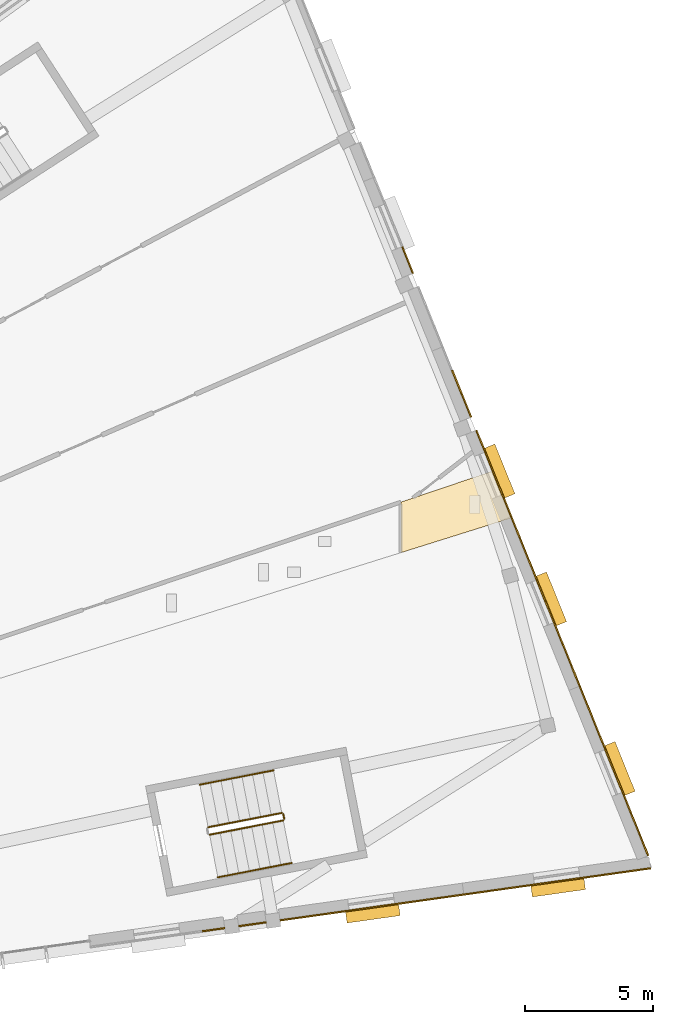
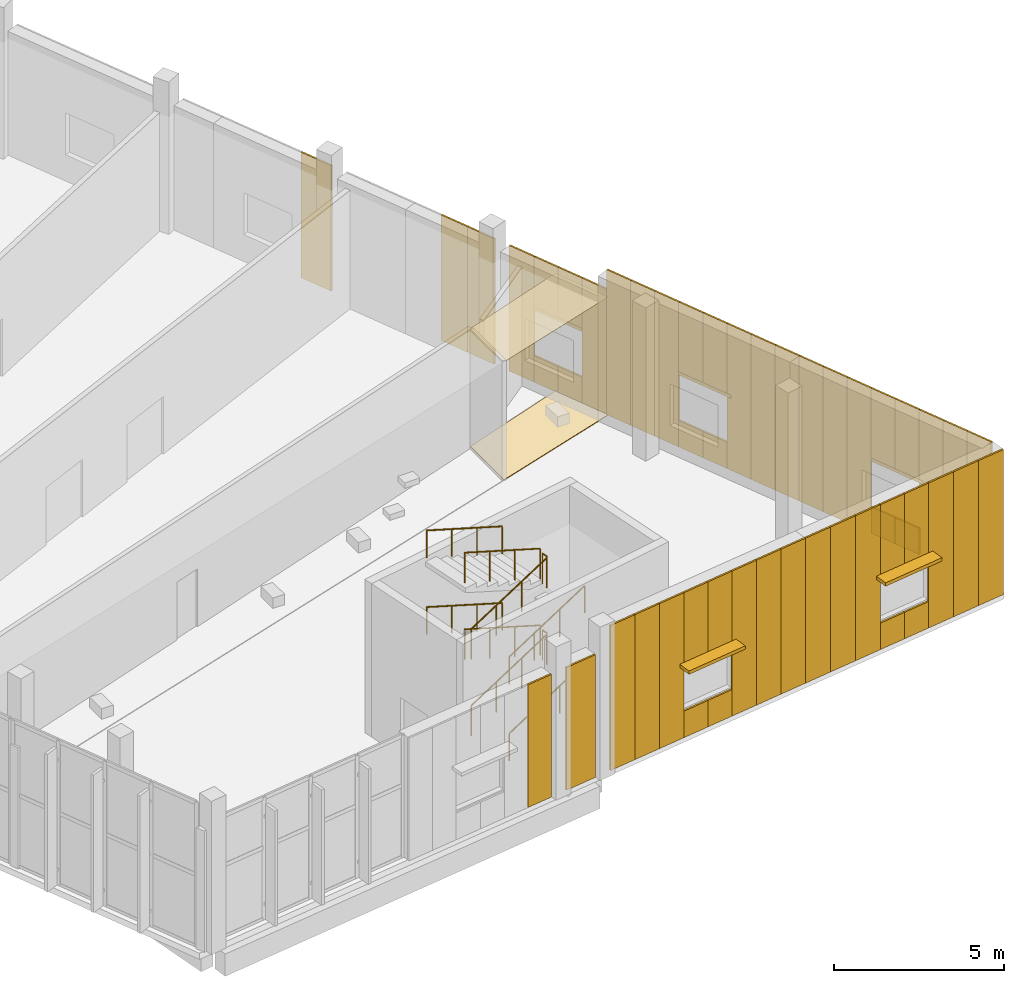
# One storey, part 78 of 87: 53 coverings, 10 railings, 5 shading devices.
"""IFC4 building model written with IfcOpenShell, lengths in metres."""

from ifc_helpers import new_model, si_unit, direction, frame, origin, origin_2d, place, context, subcontext, project, spatial, polyline, rectangle, circle, outline, extrude, material, layer, layer_set, type_object, element, save


model = new_model("IFC4")

# Units and contexts
model_context = context("Model", 3, precision=1e-05, world=origin(), true_north=direction((0.0, 1.0)))
body_context = subcontext(model_context, "Body", "Model", "MODEL_VIEW")
ifc_project = project(units=[si_unit("LENGTHUNIT", "METRE"), si_unit("AREAUNIT", "SQUARE_METRE"), si_unit("VOLUMEUNIT", "CUBIC_METRE"), si_unit("PLANEANGLEUNIT", "RADIAN"), si_unit("MASSUNIT", "GRAM", prefix="KILO")], contexts=[model_context])

# Site, building, storey
site_placement = place(None, origin())
site = spatial("IfcSite", under=ifc_project, at=site_placement, CompositionType="ELEMENT")
building_placement = place(site_placement, origin())
building = spatial("IfcBuilding", under=site, at=building_placement, Name="Lunette Opera House", CompositionType="ELEMENT")
storey_placement = place(building_placement, frame((0.0, 0.0, 11.5)))
storey = spatial("IfcBuildingStorey", under=building, at=storey_placement, Name="L02", CompositionType="ELEMENT", Elevation=11.5)

# Railings
ifc_material_1 = material(Name="Steel S355", Category="steel")
railing_type_1 = type_object("IfcRailingType", Name="STAIR GUARD 1100", PredefinedType="GUARDRAIL", material=ifc_material_1)
railing_1_placement = place(storey_placement, frame((167.785400390625, 13.801025390625, 0.171875)))
element("IfcRailing", 1, at=railing_1_placement, inside=storey, type_object=railing_type_1, Name="L02 ST22 stair guard 1", PredefinedType="GUARDRAIL", context=body_context, shape_type="SweptSolid", body=[
    extrude(circle(Radius=0.02392578125, at=origin_2d()), frame((0.0, 0.0, 1.076171875), z_axis=(0.908508572343, 0.176537026535, 0.378743781787), x_axis=(-0.190747409961, 0.981639152435, 0.0)), (0.0, 0.0, 1.0), 3.176513671875),
    extrude(circle(Radius=0.02099609375, at=origin_2d()), origin(), (0.0, 0.0, 1.0), 1.052001953125),
    extrude(circle(Radius=0.02099609375, at=origin_2d()), frame((0.9619140625, 0.18701171875, 0.401123046875)), (0.0, 0.0, 1.0), 1.052001953125),
    extrude(circle(Radius=0.02099609375, at=origin_2d()), frame((1.924072265625, 0.373779296875, 0.802001953125)), (0.0, 0.0, 1.0), 1.052001953125),
    extrude(circle(Radius=0.02099609375, at=origin_2d()), frame((2.885986328125, 0.560791015625, 1.203125)), (0.0, 0.0, 1.0), 1.052001953125),
])
railing_2_placement = place(storey_placement, frame((170.7109375, 14.42041015625, 1.375)))
element("IfcRailing", 2, at=railing_2_placement, inside=storey, type_object=railing_type_1, Name="L02 ST22 stair guard 2", PredefinedType="GUARDRAIL", context=body_context, shape_type="SweptSolid", body=[
    extrude(circle(Radius=0.02392578125, at=origin_2d()), frame((0.0, 0.0, 1.076171875), z_axis=(-0.190706053889, 0.981647187644, 0.0), x_axis=(-0.981647187644, -0.190706053889, 0.0)), (0.0, 0.0, 1.0), 0.19970703125),
    extrude(circle(Radius=0.02099609375, at=origin_2d()), origin(), (0.0, 0.0, 1.0), 1.052001953125),
    extrude(circle(Radius=0.02099609375, at=origin_2d()), frame((-0.0380859375, 0.196044921875, 0.0)), (0.0, 0.0, 1.0), 1.052001953125),
])
railing_3_placement = place(storey_placement, frame((170.6142578125, 14.656005859375, 1.546875)))
element("IfcRailing", 3, at=railing_3_placement, inside=storey, type_object=railing_type_1, Name="L02 ST22 stair guard 3", PredefinedType="GUARDRAIL", context=body_context, shape_type="SweptSolid", body=[
    extrude(circle(Radius=0.02392578125, at=origin_2d()), frame((0.0, 0.0, 1.076171875), z_axis=(-0.908508572343, -0.176537026535, 0.378743781787), x_axis=(0.190747409961, -0.981639152435, 0.0)), (0.0, 0.0, 1.0), 3.176513671875),
    extrude(circle(Radius=0.02099609375, at=origin_2d()), origin(), (0.0, 0.0, 1.0), 1.052001953125),
    extrude(circle(Radius=0.02099609375, at=origin_2d()), frame((-0.9619140625, -0.18701171875, 0.401123046875)), (0.0, 0.0, 1.0), 1.052001953125),
    extrude(circle(Radius=0.02099609375, at=origin_2d()), frame((-1.924072265625, -0.373779296875, 0.802001953125)), (0.0, 0.0, 1.0), 1.052001953125),
    extrude(circle(Radius=0.02099609375, at=origin_2d()), frame((-2.885986328125, -0.560791015625, 1.203125)), (0.0, 0.0, 1.0), 1.052001953125),
])
railing_4_placement = place(storey_placement, frame((167.785400390625, 13.801025390625, 2.921875)))
element("IfcRailing", 4, at=railing_4_placement, inside=storey, type_object=railing_type_1, Name="L02 ST22 stair guard 5", PredefinedType="GUARDRAIL", context=body_context, shape_type="SweptSolid", body=[
    extrude(circle(Radius=0.02392578125, at=origin_2d()), frame((0.0, 0.0, 1.076171875), z_axis=(0.908508572343, 0.176537026535, 0.378743781787), x_axis=(-0.190747409961, 0.981639152435, 0.0)), (0.0, 0.0, 1.0), 3.176513671875),
    extrude(circle(Radius=0.02099609375, at=origin_2d()), origin(), (0.0, 0.0, 1.0), 1.052001953125),
    extrude(circle(Radius=0.02099609375, at=origin_2d()), frame((0.9619140625, 0.18701171875, 0.401123046875)), (0.0, 0.0, 1.0), 1.052001953125),
    extrude(circle(Radius=0.02099609375, at=origin_2d()), frame((1.924072265625, 0.373779296875, 0.802001953125)), (0.0, 0.0, 1.0), 1.052001953125),
    extrude(circle(Radius=0.02099609375, at=origin_2d()), frame((2.885986328125, 0.560791015625, 1.203125)), (0.0, 0.0, 1.0), 1.052001953125),
])
railing_5_placement = place(storey_placement, frame((170.7109375, 14.42041015625, 4.125)))
element("IfcRailing", 5, at=railing_5_placement, inside=storey, type_object=railing_type_1, Name="L02 ST22 stair guard 6", PredefinedType="GUARDRAIL", context=body_context, shape_type="SweptSolid", body=[
    extrude(circle(Radius=0.02392578125, at=origin_2d()), frame((0.0, 0.0, 1.076171875), z_axis=(-0.190706053889, 0.981647187644, 0.0), x_axis=(-0.981647187644, -0.190706053889, 0.0)), (0.0, 0.0, 1.0), 0.19970703125),
    extrude(circle(Radius=0.02099609375, at=origin_2d()), origin(), (0.0, 0.0, 1.0), 1.052001953125),
    extrude(circle(Radius=0.02099609375, at=origin_2d()), frame((-0.0380859375, 0.196044921875, 0.0)), (0.0, 0.0, 1.0), 1.052001953125),
])
railing_6_placement = place(storey_placement, frame((170.6142578125, 14.656005859375, 4.296875)))
element("IfcRailing", 6, at=railing_6_placement, inside=storey, type_object=railing_type_1, Name="L02 ST22 stair guard 7", PredefinedType="GUARDRAIL", context=body_context, shape_type="SweptSolid", body=[
    extrude(circle(Radius=0.02392578125, at=origin_2d()), frame((0.0, 0.0, 1.076171875), z_axis=(-0.908508572343, -0.176537026535, 0.378743781787), x_axis=(0.190747409961, -0.981639152435, 0.0)), (0.0, 0.0, 1.0), 3.176513671875),
    extrude(circle(Radius=0.02099609375, at=origin_2d()), origin(), (0.0, 0.0, 1.0), 1.052001953125),
    extrude(circle(Radius=0.02099609375, at=origin_2d()), frame((-0.9619140625, -0.18701171875, 0.401123046875)), (0.0, 0.0, 1.0), 1.052001953125),
    extrude(circle(Radius=0.02099609375, at=origin_2d()), frame((-1.924072265625, -0.373779296875, 0.802001953125)), (0.0, 0.0, 1.0), 1.052001953125),
    extrude(circle(Radius=0.02099609375, at=origin_2d()), frame((-2.885986328125, -0.560791015625, 1.203125)), (0.0, 0.0, 1.0), 1.052001953125),
])
ifc_material_2 = material(Name="Steel S355", Category="steel")
railing_type_2 = type_object("IfcRailingType", Name="STAIR HANDRAIL 1000", PredefinedType="HANDRAIL", material=ifc_material_2)
railing_7_placement = place(storey_placement, frame((168.109619140625, 12.132080078125, 0.171875)))
element("IfcRailing", 7, at=railing_7_placement, inside=storey, type_object=railing_type_2, Name="L02 ST22 stair handrail 1", PredefinedType="HANDRAIL", context=body_context, shape_type="SweptSolid", body=[
    extrude(circle(Radius=0.02392578125, at=origin_2d()), frame((0.0, 0.0, 0.97607421875), z_axis=(0.908508572343, 0.176537026535, 0.378743781787), x_axis=(-0.190747409961, 0.981639152435, 0.0)), (0.0, 0.0, 1.0), 3.176513671875),
    extrude(circle(Radius=0.02099609375, at=origin_2d()), origin(), (0.0, 0.0, 1.0), 0.951904296875),
    extrude(circle(Radius=0.02099609375, at=origin_2d()), frame((0.9619140625, 0.18701171875, 0.401123046875)), (0.0, 0.0, 1.0), 0.951904296875),
    extrude(circle(Radius=0.02099609375, at=origin_2d()), frame((1.924072265625, 0.373779296875, 0.802001953125)), (0.0, 0.0, 1.0), 0.951904296875),
    extrude(circle(Radius=0.02099609375, at=origin_2d()), frame((2.885986328125, 0.560791015625, 1.203125)), (0.0, 0.0, 1.0), 0.951904296875),
])
railing_8_placement = place(storey_placement, frame((170.2900390625, 16.32470703125, 1.546875)))
element("IfcRailing", 8, at=railing_8_placement, inside=storey, type_object=railing_type_2, Name="L02 ST22 stair handrail 2", PredefinedType="HANDRAIL", context=body_context, shape_type="SweptSolid", body=[
    extrude(circle(Radius=0.02392578125, at=origin_2d()), frame((0.0, 0.0, 0.97607421875), z_axis=(-0.908508572343, -0.176537026535, 0.378743781787), x_axis=(0.190747409961, -0.981639152435, 0.0)), (0.0, 0.0, 1.0), 3.176513671875),
    extrude(circle(Radius=0.02099609375, at=origin_2d()), origin(), (0.0, 0.0, 1.0), 0.951904296875),
    extrude(circle(Radius=0.02099609375, at=origin_2d()), frame((-0.9619140625, -0.18701171875, 0.401123046875)), (0.0, 0.0, 1.0), 0.951904296875),
    extrude(circle(Radius=0.02099609375, at=origin_2d()), frame((-1.924072265625, -0.373779296875, 0.802001953125)), (0.0, 0.0, 1.0), 0.951904296875),
    extrude(circle(Radius=0.02099609375, at=origin_2d()), frame((-2.885986328125, -0.560791015625, 1.203125)), (0.0, 0.0, 1.0), 0.951904296875),
])
railing_9_placement = place(storey_placement, frame((168.109619140625, 12.132080078125, 2.921875)))
element("IfcRailing", 9, at=railing_9_placement, inside=storey, type_object=railing_type_2, Name="L02 ST22 stair handrail 3", PredefinedType="HANDRAIL", context=body_context, shape_type="SweptSolid", body=[
    extrude(circle(Radius=0.02392578125, at=origin_2d()), frame((0.0, 0.0, 0.97607421875), z_axis=(0.908508572343, 0.176537026535, 0.378743781787), x_axis=(-0.190747409961, 0.981639152435, 0.0)), (0.0, 0.0, 1.0), 3.176513671875),
    extrude(circle(Radius=0.02099609375, at=origin_2d()), origin(), (0.0, 0.0, 1.0), 0.951904296875),
    extrude(circle(Radius=0.02099609375, at=origin_2d()), frame((0.9619140625, 0.18701171875, 0.401123046875)), (0.0, 0.0, 1.0), 0.951904296875),
    extrude(circle(Radius=0.02099609375, at=origin_2d()), frame((1.924072265625, 0.373779296875, 0.802001953125)), (0.0, 0.0, 1.0), 0.951904296875),
    extrude(circle(Radius=0.02099609375, at=origin_2d()), frame((2.885986328125, 0.560791015625, 1.203125)), (0.0, 0.0, 1.0), 0.951904296875),
])
railing_10_placement = place(storey_placement, frame((170.2900390625, 16.32470703125, 4.296875)))
element("IfcRailing", 10, at=railing_10_placement, inside=storey, type_object=railing_type_2, Name="L02 ST22 stair handrail 4", PredefinedType="HANDRAIL", context=body_context, shape_type="SweptSolid", body=[
    extrude(circle(Radius=0.02392578125, at=origin_2d()), frame((0.0, 0.0, 0.97607421875), z_axis=(-0.908508572343, -0.176537026535, 0.378743781787), x_axis=(0.190747409961, -0.981639152435, 0.0)), (0.0, 0.0, 1.0), 3.176513671875),
    extrude(circle(Radius=0.02099609375, at=origin_2d()), origin(), (0.0, 0.0, 1.0), 0.951904296875),
    extrude(circle(Radius=0.02099609375, at=origin_2d()), frame((-0.9619140625, -0.18701171875, 0.401123046875)), (0.0, 0.0, 1.0), 0.951904296875),
    extrude(circle(Radius=0.02099609375, at=origin_2d()), frame((-1.924072265625, -0.373779296875, 0.802001953125)), (0.0, 0.0, 1.0), 0.951904296875),
    extrude(circle(Radius=0.02099609375, at=origin_2d()), frame((-2.885986328125, -0.560791015625, 1.203125)), (0.0, 0.0, 1.0), 0.951904296875),
])

# Coverings
ifc_material_3 = material(Name="Aluminium standing seam cladding", Category="aluminium")
ifc_layer_1 = layer(ifc_material_3, 0.06005859375)
ifc_layer_set_1 = layer_set([ifc_layer_1], Name="Aluminium standing seam cladding")
covering_type_1 = type_object("IfcCoveringType", Name="STANDING SEAM CLADDING 60", PredefinedType="CLADDING", material=ifc_layer_set_1)
covering_1_placement = place(storey_placement, frame((167.943115234375, 10.0810546875, 0.0), z_axis=(0.0, 0.0, 1.0), x_axis=(0.990251787478, 0.139288899045, 0.0)))
element("IfcCovering", 11, at=covering_1_placement, inside=storey, type_object=covering_type_1, Name="Standing Seam Cladding 60 SZ L02", PredefinedType="CLADDING", context=body_context, shape_type="SweptSolid", body=[
    extrude(rectangle(XDim=0.8798828125, YDim=0.06005859375, at=origin_2d()), origin(), (0.0, 0.0, 1.0), 4.39990234375),
])
covering_2_placement = place(storey_placement, frame((169.462890625, 10.2939453125, 0.0), z_axis=(0.0, 0.0, 1.0), x_axis=(0.990205055721, 0.139620727777, 0.0)))
element("IfcCovering", 12, at=covering_2_placement, inside=storey, type_object=covering_type_1, Name="Standing Seam Cladding 60 SZ L02", PredefinedType="CLADDING", context=body_context, shape_type="SweptSolid", body=[
    extrude(rectangle(XDim=1.089111328125, YDim=0.06005859375, at=origin_2d()), origin(), (0.0, 0.0, 1.0), 4.39990234375),
])
for number, where, z_axis, x_axis, name in (
    (13, (170.998046875, 10.510009765625, 0.0), (0.0, 0.0, 1.0), (0.99025786416, 0.139245691027, 0.0), "Standing Seam Cladding 60 SZ L02"),
    (14, (171.902099609375, 10.636962890625, 0.0), (0.0, 0.0, 1.0), (0.99025786416, 0.139245691027, 0.0), "Standing Seam Cladding 60 SZ L02"),
    (15, (172.805908203125, 10.763916015625, 0.0), (0.0, 0.0, 1.0), (0.99025786416, 0.139245691027, 0.0), "Standing Seam Cladding 60 SZ L02"),
):
    element("IfcCovering", number, at=place(storey_placement, frame(where, z_axis=z_axis, x_axis=x_axis)), inside=storey, type_object=covering_type_1, Name=name, PredefinedType="CLADDING", context=body_context, shape_type="SweptSolid", body=[
        extrude(rectangle(XDim=0.9130859375, YDim=0.06005859375, at=origin_2d()), origin(), (0.0, 0.0, 1.0), 5.199951171875),
    ])
covering_3_placement = place(storey_placement, frame((173.702880859375, 10.889892578125, 0.0), z_axis=(0.0, 0.0, 1.0), x_axis=(0.99025786416, 0.139245691027, 0.0)))
element("IfcCovering", 16, at=covering_3_placement, inside=storey, type_object=covering_type_1, Name="Standing Seam Cladding 60 SZ L02", PredefinedType="CLADDING", context=body_context, shape_type="SweptSolid", body=[
    extrude(rectangle(XDim=0.89990234375, YDim=0.06005859375, at=origin_2d()), origin(), (0.0, 0.0, 1.0), 0.949951171875),
])
covering_4_placement = place(storey_placement, frame((173.702880859375, 10.889892578125, 2.699951171875), z_axis=(0.0, 0.0, 1.0), x_axis=(0.99025786416, 0.139245691027, 0.0)))
element("IfcCovering", 17, at=covering_4_placement, inside=storey, type_object=covering_type_1, Name="Standing Seam Cladding 60 SZ L02", PredefinedType="CLADDING", context=body_context, shape_type="SweptSolid", body=[
    extrude(rectangle(XDim=0.89990234375, YDim=0.06005859375, at=origin_2d()), origin(), (0.0, 0.0, 1.0), 2.5),
])
covering_5_placement = place(storey_placement, frame((174.594970703125, 11.01611328125, 0.0), z_axis=(0.0, 0.0, 1.0), x_axis=(0.99025786416, 0.139245691027, 0.0)))
element("IfcCovering", 18, at=covering_5_placement, inside=storey, type_object=covering_type_1, Name="Standing Seam Cladding 60 SZ L02", PredefinedType="CLADDING", context=body_context, shape_type="SweptSolid", body=[
    extrude(rectangle(XDim=0.89990234375, YDim=0.06005859375, at=origin_2d()), origin(), (0.0, 0.0, 1.0), 0.949951171875),
])
covering_6_placement = place(storey_placement, frame((174.594970703125, 11.01611328125, 2.699951171875), z_axis=(0.0, 0.0, 1.0), x_axis=(0.99025786416, 0.139245691027, 0.0)))
element("IfcCovering", 19, at=covering_6_placement, inside=storey, type_object=covering_type_1, Name="Standing Seam Cladding 60 SZ L02", PredefinedType="CLADDING", context=body_context, shape_type="SweptSolid", body=[
    extrude(rectangle(XDim=0.89990234375, YDim=0.06005859375, at=origin_2d()), origin(), (0.0, 0.0, 1.0), 2.5),
])
for number, where, z_axis, x_axis, name in (
    (20, (175.491943359375, 11.14208984375, 0.0), (0.0, 0.0, 1.0), (0.99025786416, 0.139245691027, 0.0), "Standing Seam Cladding 60 SZ L02"),
    (21, (176.39501953125, 11.26904296875, 0.0), (0.0, 0.0, 1.0), (0.99025786416, 0.139245691027, 0.0), "Standing Seam Cladding 60 SZ L02"),
    (22, (177.299072265625, 11.39599609375, 0.0), (0.0, 0.0, 1.0), (0.99025786416, 0.139245691027, 0.0), "Standing Seam Cladding 60 SZ L02"),
):
    element("IfcCovering", number, at=place(storey_placement, frame(where, z_axis=z_axis, x_axis=x_axis)), inside=storey, type_object=covering_type_1, Name=name, PredefinedType="CLADDING", context=body_context, shape_type="SweptSolid", body=[
        extrude(rectangle(XDim=0.912109375, YDim=0.06005859375, at=origin_2d()), origin(), (0.0, 0.0, 1.0), 5.199951171875),
    ])
for number, where, z_axis, x_axis, name in (
    (23, (178.2119140625, 11.52392578125, 0.0), (0.0, 0.0, 1.0), (0.990263453042, 0.139205939416, 0.0), "Standing Seam Cladding 60 SZ L02"),
    (24, (179.135009765625, 11.654052734375, 0.0), (0.0, 0.0, 1.0), (0.990263453042, 0.139205939416, 0.0), "Standing Seam Cladding 60 SZ L02"),
    (25, (180.05810546875, 11.783935546875, 0.0), (0.0, 0.0, 1.0), (0.990263453042, 0.139205939416, 0.0), "Standing Seam Cladding 60 SZ L02"),
):
    element("IfcCovering", number, at=place(storey_placement, frame(where, z_axis=z_axis, x_axis=x_axis)), inside=storey, type_object=covering_type_1, Name=name, PredefinedType="CLADDING", context=body_context, shape_type="SweptSolid", body=[
        extrude(rectangle(XDim=0.931884765625, YDim=0.06005859375, at=origin_2d()), origin(), (0.0, 0.0, 1.0), 5.199951171875),
    ])
covering_7_placement = place(storey_placement, frame((180.965087890625, 11.910888671875, 0.0), z_axis=(0.0, 0.0, 1.0), x_axis=(0.990263453042, 0.139205939416, 0.0)))
element("IfcCovering", 26, at=covering_7_placement, inside=storey, type_object=covering_type_1, Name="Standing Seam Cladding 60 SZ L02", PredefinedType="CLADDING", context=body_context, shape_type="SweptSolid", body=[
    extrude(rectangle(XDim=0.89990234375, YDim=0.06005859375, at=origin_2d()), origin(), (0.0, 0.0, 1.0), 0.949951171875),
])
covering_8_placement = place(storey_placement, frame((180.965087890625, 11.910888671875, 2.699951171875), z_axis=(0.0, 0.0, 1.0), x_axis=(0.990263453042, 0.139205939416, 0.0)))
element("IfcCovering", 27, at=covering_8_placement, inside=storey, type_object=covering_type_1, Name="Standing Seam Cladding 60 SZ L02", PredefinedType="CLADDING", context=body_context, shape_type="SweptSolid", body=[
    extrude(rectangle(XDim=0.89990234375, YDim=0.06005859375, at=origin_2d()), origin(), (0.0, 0.0, 1.0), 2.5),
])
covering_9_placement = place(storey_placement, frame((181.85595703125, 12.035888671875, 0.0), z_axis=(0.0, 0.0, 1.0), x_axis=(0.990263453042, 0.139205939416, 0.0)))
element("IfcCovering", 28, at=covering_9_placement, inside=storey, type_object=covering_type_1, Name="Standing Seam Cladding 60 SZ L02", PredefinedType="CLADDING", context=body_context, shape_type="SweptSolid", body=[
    extrude(rectangle(XDim=0.89990234375, YDim=0.06005859375, at=origin_2d()), origin(), (0.0, 0.0, 1.0), 0.949951171875),
])
covering_10_placement = place(storey_placement, frame((181.85595703125, 12.035888671875, 2.699951171875), z_axis=(0.0, 0.0, 1.0), x_axis=(0.990263453042, 0.139205939416, 0.0)))
element("IfcCovering", 29, at=covering_10_placement, inside=storey, type_object=covering_type_1, Name="Standing Seam Cladding 60 SZ L02", PredefinedType="CLADDING", context=body_context, shape_type="SweptSolid", body=[
    extrude(rectangle(XDim=0.89990234375, YDim=0.06005859375, at=origin_2d()), origin(), (0.0, 0.0, 1.0), 2.5),
])
for number, where, z_axis, x_axis, name in (
    (30, (182.762939453125, 12.1640625, 0.0), (0.0, 0.0, 1.0), (0.990263453042, 0.139205939416, 0.0), "Standing Seam Cladding 60 SZ L02"),
    (31, (183.68603515625, 12.2939453125, 0.0), (0.0, 0.0, 1.0), (0.990263453042, 0.139205939416, 0.0), "Standing Seam Cladding 60 SZ L02"),
    (32, (184.60888671875, 12.423095703125, 0.0), (0.0, 0.0, 1.0), (0.990263453042, 0.139205939416, 0.0), "Standing Seam Cladding 60 SZ L02"),
):
    element("IfcCovering", number, at=place(storey_placement, frame(where, z_axis=z_axis, x_axis=x_axis)), inside=storey, type_object=covering_type_1, Name=name, PredefinedType="CLADDING", context=body_context, shape_type="SweptSolid", body=[
        extrude(rectangle(XDim=0.931884765625, YDim=0.06005859375, at=origin_2d()), origin(), (0.0, 0.0, 1.0), 5.199951171875),
    ])
for number, where, z_axis, x_axis, name in (
    (33, (184.804931640625, 13.39599609375, 0.0), (0.0, 0.0, 1.0), (-0.374587174441, 0.927191700106, 0.0), "Standing Seam Cladding 60 SZ L02"),
    (34, (184.469970703125, 14.22509765625, 0.0), (0.0, 0.0, 1.0), (-0.374587174441, 0.927191700106, 0.0), "Standing Seam Cladding 60 SZ L02"),
    (35, (184.135009765625, 15.054931640625, 0.0), (0.0, 0.0, 1.0), (-0.374587174441, 0.927191700106, 0.0), "Standing Seam Cladding 60 SZ L02"),
):
    element("IfcCovering", number, at=place(storey_placement, frame(where, z_axis=z_axis, x_axis=x_axis)), inside=storey, type_object=covering_type_1, Name=name, PredefinedType="CLADDING", context=body_context, shape_type="SweptSolid", body=[
        extrude(rectangle(XDim=0.89501953125, YDim=0.06005859375, at=origin_2d()), origin(), (0.0, 0.0, 1.0), 5.199951171875),
    ])
covering_11_placement = place(storey_placement, frame((183.799072265625, 15.886962890625, 0.0), z_axis=(0.0, 0.0, 1.0), x_axis=(-0.374587174441, 0.927191700106, 0.0)))
element("IfcCovering", 36, at=covering_11_placement, inside=storey, type_object=covering_type_1, Name="Standing Seam Cladding 60 SZ L02", PredefinedType="CLADDING", context=body_context, shape_type="SweptSolid", body=[
    extrude(rectangle(XDim=0.89990234375, YDim=0.06005859375, at=origin_2d()), origin(), (0.0, 0.0, 1.0), 0.949951171875),
])
covering_12_placement = place(storey_placement, frame((183.799072265625, 15.886962890625, 2.699951171875), z_axis=(0.0, 0.0, 1.0), x_axis=(-0.374587174441, 0.927191700106, 0.0)))
element("IfcCovering", 37, at=covering_12_placement, inside=storey, type_object=covering_type_1, Name="Standing Seam Cladding 60 SZ L02", PredefinedType="CLADDING", context=body_context, shape_type="SweptSolid", body=[
    extrude(rectangle(XDim=0.89990234375, YDim=0.06005859375, at=origin_2d()), origin(), (0.0, 0.0, 1.0), 2.5),
])
covering_13_placement = place(storey_placement, frame((183.4609375, 16.720947265625, 0.0), z_axis=(0.0, 0.0, 1.0), x_axis=(-0.374587174441, 0.927191700106, 0.0)))
element("IfcCovering", 38, at=covering_13_placement, inside=storey, type_object=covering_type_1, Name="Standing Seam Cladding 60 SZ L02", PredefinedType="CLADDING", context=body_context, shape_type="SweptSolid", body=[
    extrude(rectangle(XDim=0.89990234375, YDim=0.06005859375, at=origin_2d()), origin(), (0.0, 0.0, 1.0), 0.949951171875),
])
covering_14_placement = place(storey_placement, frame((183.4609375, 16.720947265625, 2.699951171875), z_axis=(0.0, 0.0, 1.0), x_axis=(-0.374587174441, 0.927191700106, 0.0)))
element("IfcCovering", 39, at=covering_14_placement, inside=storey, type_object=covering_type_1, Name="Standing Seam Cladding 60 SZ L02", PredefinedType="CLADDING", context=body_context, shape_type="SweptSolid", body=[
    extrude(rectangle(XDim=0.89990234375, YDim=0.06005859375, at=origin_2d()), origin(), (0.0, 0.0, 1.0), 2.5),
])
for number, where, z_axis, x_axis, name in (
    (40, (183.125, 17.552978515625, 0.0), (0.0, 0.0, 1.0), (-0.374587174441, 0.927191700106, 0.0), "Standing Seam Cladding 60 SZ L02"),
    (41, (182.7900390625, 18.383056640625, 0.0), (0.0, 0.0, 1.0), (-0.374587174441, 0.927191700106, 0.0), "Standing Seam Cladding 60 SZ L02"),
    (42, (182.455078125, 19.2119140625, 0.0), (0.0, 0.0, 1.0), (-0.374587174441, 0.927191700106, 0.0), "Standing Seam Cladding 60 SZ L02"),
    (43, (182.1201171875, 20.0419921875, 0.0), (0.0, 0.0, 1.0), (-0.374587174441, 0.927191700106, 0.0), "Standing Seam Cladding 60 SZ L02"),
    (44, (181.784912109375, 20.87109375, 0.0), (0.0, 0.0, 1.0), (-0.374587174441, 0.927191700106, 0.0), "Standing Seam Cladding 60 SZ L02"),
    (45, (181.449951171875, 21.700927734375, 0.0), (0.0, 0.0, 1.0), (-0.374587174441, 0.927191700106, 0.0), "Standing Seam Cladding 60 SZ L02"),
):
    element("IfcCovering", number, at=place(storey_placement, frame(where, z_axis=z_axis, x_axis=x_axis)), inside=storey, type_object=covering_type_1, Name=name, PredefinedType="CLADDING", context=body_context, shape_type="SweptSolid", body=[
        extrude(rectangle(XDim=0.89501953125, YDim=0.06005859375, at=origin_2d()), origin(), (0.0, 0.0, 1.0), 5.199951171875),
    ])
covering_15_placement = place(storey_placement, frame((181.114013671875, 22.532958984375, 0.0), z_axis=(0.0, 0.0, 1.0), x_axis=(-0.374587174441, 0.927191700106, 0.0)))
element("IfcCovering", 46, at=covering_15_placement, inside=storey, type_object=covering_type_1, Name="Standing Seam Cladding 60 SZ L02", PredefinedType="CLADDING", context=body_context, shape_type="SweptSolid", body=[
    extrude(rectangle(XDim=0.89990234375, YDim=0.06005859375, at=origin_2d()), origin(), (0.0, 0.0, 1.0), 0.949951171875),
])
covering_16_placement = place(storey_placement, frame((181.114013671875, 22.532958984375, 2.699951171875), z_axis=(0.0, 0.0, 1.0), x_axis=(-0.374587174441, 0.927191700106, 0.0)))
element("IfcCovering", 47, at=covering_16_placement, inside=storey, type_object=covering_type_1, Name="Standing Seam Cladding 60 SZ L02", PredefinedType="CLADDING", context=body_context, shape_type="SweptSolid", body=[
    extrude(rectangle(XDim=0.89990234375, YDim=0.06005859375, at=origin_2d()), origin(), (0.0, 0.0, 1.0), 2.5),
])
covering_17_placement = place(storey_placement, frame((180.77587890625, 23.366943359375, 0.0), z_axis=(0.0, 0.0, 1.0), x_axis=(-0.374587174441, 0.927191700106, 0.0)))
element("IfcCovering", 48, at=covering_17_placement, inside=storey, type_object=covering_type_1, Name="Standing Seam Cladding 60 SZ L02", PredefinedType="CLADDING", context=body_context, shape_type="SweptSolid", body=[
    extrude(rectangle(XDim=0.89990234375, YDim=0.06005859375, at=origin_2d()), origin(), (0.0, 0.0, 1.0), 0.949951171875),
])
covering_18_placement = place(storey_placement, frame((180.77587890625, 23.366943359375, 2.699951171875), z_axis=(0.0, 0.0, 1.0), x_axis=(-0.374587174441, 0.927191700106, 0.0)))
element("IfcCovering", 49, at=covering_18_placement, inside=storey, type_object=covering_type_1, Name="Standing Seam Cladding 60 SZ L02", PredefinedType="CLADDING", context=body_context, shape_type="SweptSolid", body=[
    extrude(rectangle(XDim=0.89990234375, YDim=0.06005859375, at=origin_2d()), origin(), (0.0, 0.0, 1.0), 2.5),
])
for number, where, z_axis, x_axis, name in (
    (50, (180.43994140625, 24.198974609375, 0.0), (0.0, 0.0, 1.0), (-0.374587174441, 0.927191700106, 0.0), "Standing Seam Cladding 60 SZ L02"),
    (51, (180.10498046875, 25.029052734375, 0.0), (0.0, 0.0, 1.0), (-0.374587174441, 0.927191700106, 0.0), "Standing Seam Cladding 60 SZ L02"),
    (52, (179.77001953125, 25.85791015625, 0.0), (0.0, 0.0, 1.0), (-0.374587174441, 0.927191700106, 0.0), "Standing Seam Cladding 60 SZ L02"),
):
    element("IfcCovering", number, at=place(storey_placement, frame(where, z_axis=z_axis, x_axis=x_axis)), inside=storey, type_object=covering_type_1, Name=name, PredefinedType="CLADDING", context=body_context, shape_type="SweptSolid", body=[
        extrude(rectangle(XDim=0.89501953125, YDim=0.06005859375, at=origin_2d()), origin(), (0.0, 0.0, 1.0), 5.199951171875),
    ])
covering_19_placement = place(storey_placement, frame((179.429931640625, 26.698974609375, 0.0), z_axis=(0.0, 0.0, 1.0), x_axis=(-0.374467420462, 0.927240071941, 0.0)))
element("IfcCovering", 53, at=covering_19_placement, inside=storey, type_object=covering_type_1, Name="Standing Seam Cladding 60 SZ L02", PredefinedType="CLADDING", context=body_context, shape_type="SweptSolid", body=[
    extrude(rectangle(XDim=0.919921875, YDim=0.06005859375, at=origin_2d()), origin(), (0.0, 0.0, 1.0), 4.5),
])
covering_20_placement = place(storey_placement, frame((179.090087890625, 27.54296875, 0.0), z_axis=(0.0, 0.0, 1.0), x_axis=(-0.374467420462, 0.927240071941, 0.0)))
element("IfcCovering", 54, at=covering_20_placement, inside=storey, type_object=covering_type_1, Name="Standing Seam Cladding 60 SZ L02", PredefinedType="CLADDING", context=body_context, shape_type="SweptSolid", body=[
    extrude(rectangle(XDim=0.89990234375, YDim=0.06005859375, at=origin_2d()), origin(), (0.0, 0.0, 1.0), 0.949951171875),
])
covering_21_placement = place(storey_placement, frame((179.090087890625, 27.54296875, 2.7001953125), z_axis=(0.0, 0.0, 1.0), x_axis=(-0.374467420462, 0.927240071941, 0.0)))
element("IfcCovering", 55, at=covering_21_placement, inside=storey, type_object=covering_type_1, Name="Standing Seam Cladding 60 SZ L02", PredefinedType="CLADDING", context=body_context, shape_type="SweptSolid", body=[
    extrude(rectangle(XDim=0.89990234375, YDim=0.06005859375, at=origin_2d()), origin(), (0.0, 0.0, 1.0), 1.800048828125),
])
covering_22_placement = place(storey_placement, frame((178.751953125, 28.3779296875, 0.0), z_axis=(0.0, 0.0, 1.0), x_axis=(-0.374467420462, 0.927240071941, 0.0)))
element("IfcCovering", 56, at=covering_22_placement, inside=storey, type_object=covering_type_1, Name="Standing Seam Cladding 60 SZ L02", PredefinedType="CLADDING", context=body_context, shape_type="SweptSolid", body=[
    extrude(rectangle(XDim=0.89990234375, YDim=0.06005859375, at=origin_2d()), origin(), (0.0, 0.0, 1.0), 0.949951171875),
])
covering_23_placement = place(storey_placement, frame((178.751953125, 28.3779296875, 2.7001953125), z_axis=(0.0, 0.0, 1.0), x_axis=(-0.374467420462, 0.927240071941, 0.0)))
element("IfcCovering", 57, at=covering_23_placement, inside=storey, type_object=covering_type_1, Name="Standing Seam Cladding 60 SZ L02", PredefinedType="CLADDING", context=body_context, shape_type="SweptSolid", body=[
    extrude(rectangle(XDim=0.89990234375, YDim=0.06005859375, at=origin_2d()), origin(), (0.0, 0.0, 1.0), 1.800048828125),
])
covering_24_placement = place(storey_placement, frame((178.412109375, 29.220947265625, 0.0), z_axis=(0.0, 0.0, 1.0), x_axis=(-0.374467420462, 0.927240071941, 0.0)))
element("IfcCovering", 58, at=covering_24_placement, inside=storey, type_object=covering_type_1, Name="Standing Seam Cladding 60 SZ L02", PredefinedType="CLADDING", context=body_context, shape_type="SweptSolid", body=[
    extrude(rectangle(XDim=0.919921875, YDim=0.06005859375, at=origin_2d()), origin(), (0.0, 0.0, 1.0), 4.5),
])
for number, where, z_axis, x_axis, name in (
    (59, (177.843994140625, 30.625, 0.0), (0.0, 0.0, 1.0), (-0.37440754113, 0.927264252058, 0.0), "Standing Seam Cladding 60 SZ L02"),
    (60, (177.47412109375, 31.54296875, 0.0), (0.0, 0.0, 1.0), (-0.37440754113, 0.927264252058, 0.0), "Standing Seam Cladding 60 SZ L02"),
):
    element("IfcCovering", number, at=place(storey_placement, frame(where, z_axis=z_axis, x_axis=x_axis)), inside=storey, type_object=covering_type_1, Name=name, PredefinedType="CLADDING", context=body_context, shape_type="SweptSolid", body=[
        extrude(rectangle(XDim=0.989990234375, YDim=0.06005859375, at=origin_2d()), origin(), (0.0, 0.0, 1.0), 4.5),
    ])
covering_25_placement = place(storey_placement, frame((175.5419921875, 36.325927734375, 0.0), z_axis=(0.0, 0.0, 1.0), x_axis=(-0.374658376547, 0.927162931142, 0.0)))
element("IfcCovering", 61, at=covering_25_placement, inside=storey, type_object=covering_type_1, Name="Standing Seam Cladding 60 SZ L02", PredefinedType="CLADDING", context=body_context, shape_type="SweptSolid", body=[
    extrude(rectangle(XDim=1.1298828125, YDim=0.06005859375, at=origin_2d()), origin(), (0.0, 0.0, 1.0), 4.5),
])
ifc_material_4 = material(Name="Mineral fibre board")
ifc_layer_2 = layer(ifc_material_4, 0.014892578125)
ifc_layer_set_2 = layer_set([ifc_layer_2], Name="Mineral fibre board")
covering_type_2 = type_object("IfcCoveringType", Name="SUSPENDED ACOUSTIC CEILING 15", PredefinedType="CEILING", material=ifc_layer_set_2)
covering_26_placement = place(storey_placement, frame((0.0, 0.0, 4.235107421875)))
element("IfcCovering", 62, at=covering_26_placement, inside=storey, type_object=covering_type_2, Name="Ceiling Accessible WC L02 Studio", PredefinedType="CEILING", context=body_context, shape_type="SweptSolid", body=[
    extrude(outline(polyline([(179.595947265625, 26.208984375), (175.279052734375, 24.85498046875), (175.279052734375, 26.833984375), (178.85498046875, 28.0439453125), (179.595947265625, 26.208984375)])), origin(), (0.0, 0.0, 1.0), 0.014892578125),
])
ifc_material_5 = material(Name="Ceramic tile")
ifc_layer_3 = layer(ifc_material_5, 0.02490234375)
ifc_layer_set_3 = layer_set([ifc_layer_3], Name="Ceramic tile")
covering_type_3 = type_object("IfcCoveringType", Name="TILED FLOOR FINISH 25", PredefinedType="FLOORING", material=ifc_layer_set_3)
covering_27_placement = place(storey_placement, origin())
element("IfcCovering", 63, at=covering_27_placement, inside=storey, type_object=covering_type_3, Name="Floor finish Accessible WC L02 Studio", PredefinedType="FLOORING", context=body_context, shape_type="SweptSolid", body=[
    extrude(outline(polyline([(179.595947265625, 26.208984375), (175.279052734375, 24.85498046875), (175.279052734375, 26.833984375), (178.85498046875, 28.0439453125), (179.595947265625, 26.208984375)])), origin(), (0.0, 0.0, 1.0), 0.02490234375),
])

# Shading devices
ifc_material_6 = material(Name="Powder-coated aluminium", Category="aluminium")
ifc_layer_4 = layer(ifc_material_6, 0.1201171875)
ifc_layer_set_4 = layer_set([ifc_layer_4], Name="Powder-coated aluminium")
shading_device_type = type_object("IfcShadingDeviceType", Name="WINDOW HOOD 500 X 2100", PredefinedType="USERDEFINED", material=ifc_layer_set_4)
for number, where, z_axis, x_axis, name in (
    (64, (174.179931640625, 10.735107421875, 2.579833984375), (0.0, 0.0, 1.0), (0.139245691027, -0.99025786416, 0.0), "Window hood SB-N2014"),
    (65, (181.44091796875, 11.756103515625, 2.579833984375), (0.0, 0.0, 1.0), (0.139205939416, -0.990263453042, 0.0), "Window hood SB-N2015"),
    (66, (183.833984375, 16.385986328125, 2.579833984375), (0.0, 0.0, 1.0), (0.927191700106, 0.374587174441, 0.0), "Window hood SB-N2016"),
    (67, (181.14892578125, 23.031982421875, 2.579833984375), (0.0, 0.0, 1.0), (0.927191700106, 0.374587174441, 0.0), "Window hood SB-N2017"),
    (68, (179.125, 28.04296875, 2.579833984375), (0.0, 0.0, 1.0), (0.927240071941, 0.374467420462, 0.0), "Window hood SB-N2018"),
):
    element("IfcShadingDevice", number, at=place(storey_placement, frame(where, z_axis=z_axis, x_axis=x_axis)), inside=storey, type_object=shading_device_type, Name=name, ObjectType="WINDOW HOOD", PredefinedType="USERDEFINED", context=body_context, shape_type="SweptSolid", body=[
        extrude(rectangle(XDim=0.5, YDim=2.10009765625, at=origin_2d()), origin(), (0.0, 0.0, 1.0), 0.1201171875),
    ])

save(model, "model.ifc")
